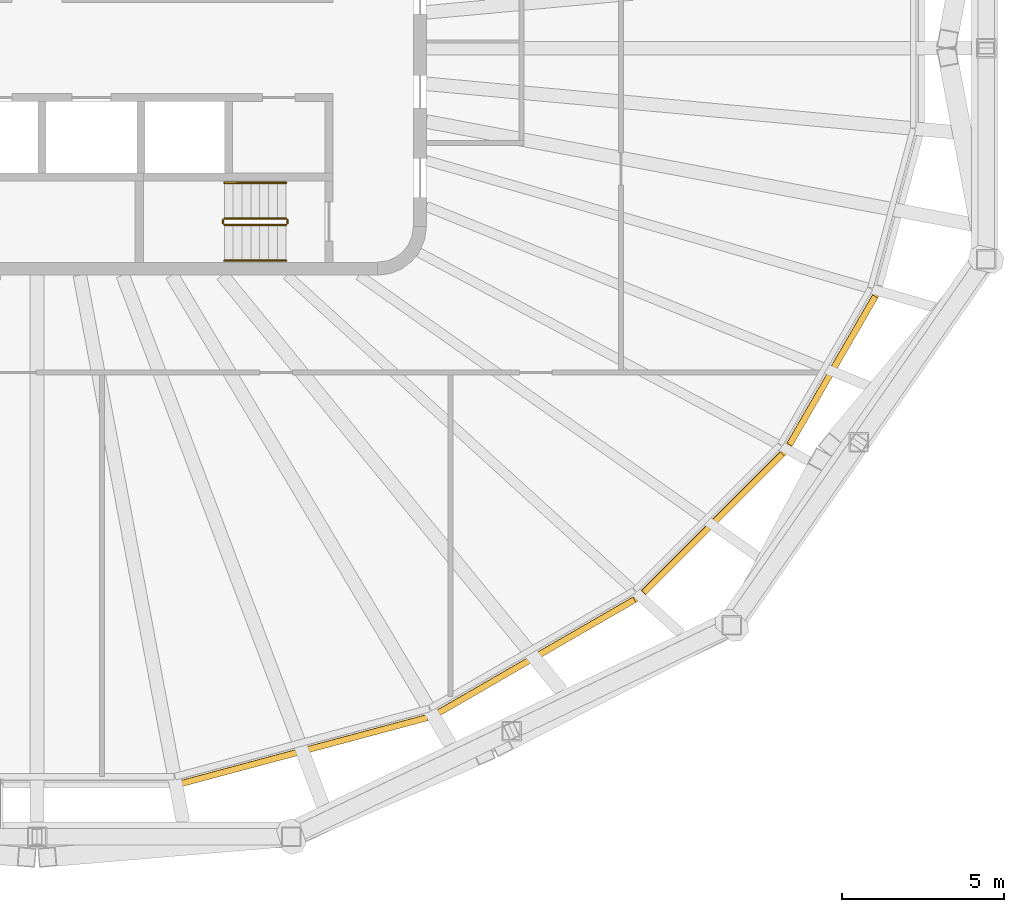
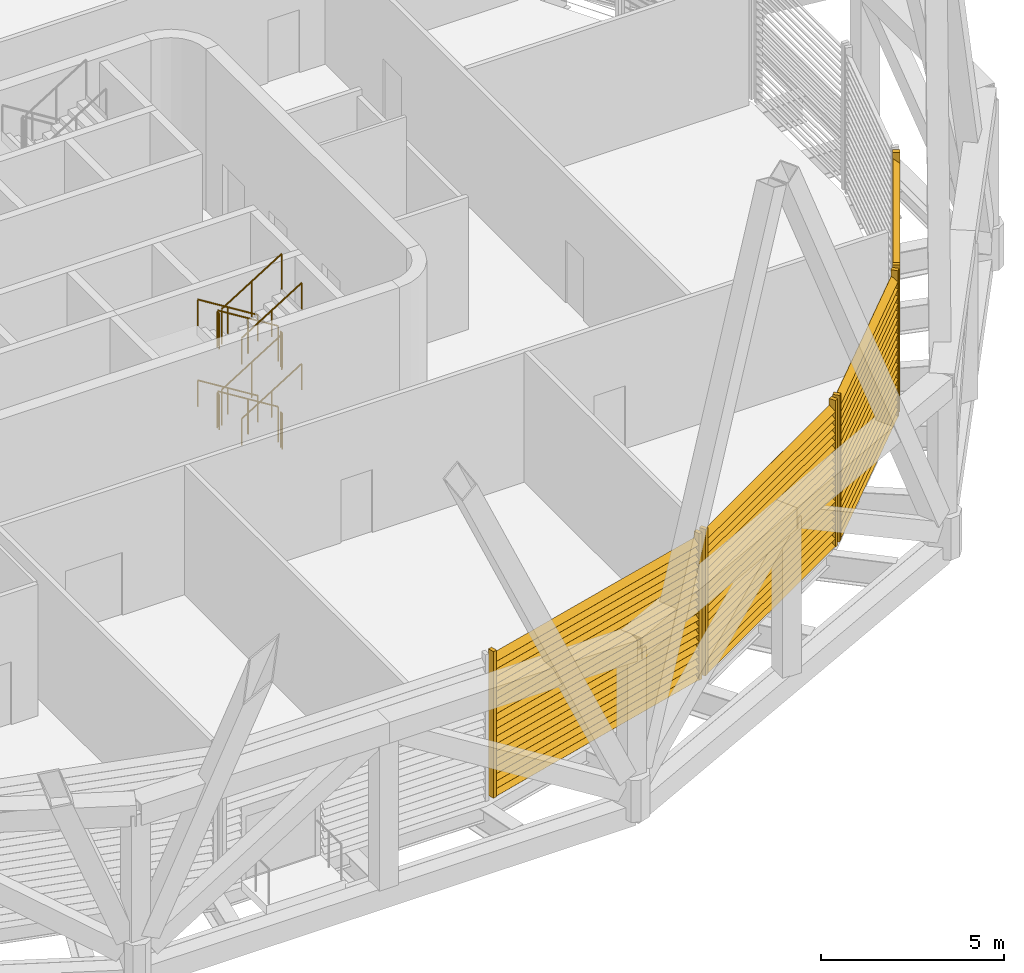
# One storey, part 13 of 16: 12 railings, 4 shading devices.
"""IFC4 building model written with IfcOpenShell, lengths in metres."""

from ifc_helpers import new_model, si_unit, direction, frame, origin, origin_2d, place, context, subcontext, project, spatial, rectangle, circle, extrude, material, type_object, element, save


model = new_model("IFC4")

# Units and contexts
model_context = context("Model", 3, precision=1e-05, world=origin(), true_north=direction((0.0, 1.0)))
body_context = subcontext(model_context, "Body", "Model", "MODEL_VIEW")
ifc_project = project(units=[si_unit("LENGTHUNIT", "METRE"), si_unit("AREAUNIT", "SQUARE_METRE"), si_unit("VOLUMEUNIT", "CUBIC_METRE"), si_unit("PLANEANGLEUNIT", "RADIAN"), si_unit("MASSUNIT", "GRAM", prefix="KILO")], contexts=[model_context])

# Site, building, storey
site_placement = place(None, origin())
site = spatial("IfcSite", under=ifc_project, at=site_placement, CompositionType="ELEMENT")
building_placement = place(site_placement, origin())
building = spatial("IfcBuilding", under=site, at=building_placement, Name="Sahrelin Media Tower", CompositionType="ELEMENT")
storey_placement = place(building_placement, frame((0.0, 0.0, 299.0)))
storey = spatial("IfcBuildingStorey", under=building, at=storey_placement, Name="L66", CompositionType="ELEMENT", Elevation=299.0)

# Shading devices
ifc_material_1 = material(Name="Champagne anodised aluminium 6063-T6", Category="aluminium")
shading_device_type = type_object("IfcShadingDeviceType", Name="Sand-rejection louvre band", PredefinedType="USERDEFINED", material=ifc_material_1)
shading_device_1_placement = place(storey_placement, frame((8.210205078125, -21.54736328125, 0.0), z_axis=(0.0, 0.0, 1.0), x_axis=(-0.965928857556, -0.258807731996, 0.0)))
element("IfcShadingDevice", 1, at=shading_device_1_placement, inside=storey, type_object=shading_device_type, Name="L66:LOUVRE:L66-19", ObjectType="LOUVRE", PredefinedType="USERDEFINED", context=body_context, shape_type="SweptSolid", body=[
    extrude(rectangle(XDim=0.1201171875, YDim=0.199951171875, at=origin_2d()), frame((3.9775390625, 0.10009765625, 0.050048828125), z_axis=(0.0, 0.0, 1.0), x_axis=(1.0, 0.0, 0.0)), (0.0, 0.0, 1.0), 4.8984375),
    extrude(rectangle(XDim=0.1201171875, YDim=0.199951171875, at=origin_2d()), frame((-3.9775390625, 0.10009765625, 0.050048828125), z_axis=(0.0, 0.0, 1.0), x_axis=(1.0, 0.0, 0.0)), (0.0, 0.0, 1.0), 4.8984375),
    extrude(rectangle(XDim=0.25, YDim=0.02001953125, at=origin_2d()), frame((3.91748046875, 0.10009765625, 0.14990234375), z_axis=(-1.0, 0.0, 0.0), x_axis=(0.0, -0.766044443119, 0.642787609687)), (0.0, 0.0, 1.0), 7.8349609375),
    extrude(rectangle(XDim=0.25, YDim=0.02001953125, at=origin_2d()), frame((3.91748046875, 0.10009765625, 0.39990234375), z_axis=(-1.0, 0.0, 0.0), x_axis=(0.0, -0.766044443119, 0.642787609687)), (0.0, 0.0, 1.0), 7.8349609375),
    extrude(rectangle(XDim=0.25, YDim=0.02001953125, at=origin_2d()), frame((3.91748046875, 0.10009765625, 0.64990234375), z_axis=(-1.0, 0.0, 0.0), x_axis=(0.0, -0.766044443119, 0.642787609687)), (0.0, 0.0, 1.0), 7.8349609375),
    extrude(rectangle(XDim=0.25, YDim=0.02001953125, at=origin_2d()), frame((3.91748046875, 0.10009765625, 0.89990234375), z_axis=(-1.0, 0.0, 0.0), x_axis=(0.0, -0.766044443119, 0.642787609687)), (0.0, 0.0, 1.0), 7.8349609375),
    extrude(rectangle(XDim=0.25, YDim=0.02001953125, at=origin_2d()), frame((3.91748046875, 0.10009765625, 1.14990234375), z_axis=(-1.0, 0.0, 0.0), x_axis=(0.0, -0.766044443119, 0.642787609687)), (0.0, 0.0, 1.0), 7.8349609375),
    extrude(rectangle(XDim=0.25, YDim=0.02001953125, at=origin_2d()), frame((3.91748046875, 0.10009765625, 1.39990234375), z_axis=(-1.0, 0.0, 0.0), x_axis=(0.0, -0.766044443119, 0.642787609687)), (0.0, 0.0, 1.0), 7.8349609375),
    extrude(rectangle(XDim=0.25, YDim=0.02001953125, at=origin_2d()), frame((3.91748046875, 0.10009765625, 1.64990234375), z_axis=(-1.0, 0.0, 0.0), x_axis=(0.0, -0.766044443119, 0.642787609687)), (0.0, 0.0, 1.0), 7.8349609375),
    extrude(rectangle(XDim=0.25, YDim=0.02001953125, at=origin_2d()), frame((3.91748046875, 0.10009765625, 1.89990234375), z_axis=(-1.0, 0.0, 0.0), x_axis=(0.0, -0.766044443119, 0.642787609687)), (0.0, 0.0, 1.0), 7.8349609375),
    extrude(rectangle(XDim=0.25, YDim=0.02001953125, at=origin_2d()), frame((3.91748046875, 0.10009765625, 2.14990234375), z_axis=(-1.0, 0.0, 0.0), x_axis=(0.0, -0.766044443119, 0.642787609687)), (0.0, 0.0, 1.0), 7.8349609375),
    extrude(rectangle(XDim=0.25, YDim=0.02001953125, at=origin_2d()), frame((3.91748046875, 0.10009765625, 2.39990234375), z_axis=(-1.0, 0.0, 0.0), x_axis=(0.0, -0.766044443119, 0.642787609687)), (0.0, 0.0, 1.0), 7.8349609375),
    extrude(rectangle(XDim=0.25, YDim=0.02001953125, at=origin_2d()), frame((3.91748046875, 0.10009765625, 2.64990234375), z_axis=(-1.0, 0.0, 0.0), x_axis=(0.0, -0.766044443119, 0.642787609687)), (0.0, 0.0, 1.0), 7.8349609375),
    extrude(rectangle(XDim=0.25, YDim=0.02001953125, at=origin_2d()), frame((3.91748046875, 0.10009765625, 2.89990234375), z_axis=(-1.0, 0.0, 0.0), x_axis=(0.0, -0.766044443119, 0.642787609687)), (0.0, 0.0, 1.0), 7.8349609375),
    extrude(rectangle(XDim=0.25, YDim=0.02001953125, at=origin_2d()), frame((3.91748046875, 0.10009765625, 3.14990234375), z_axis=(-1.0, 0.0, 0.0), x_axis=(0.0, -0.766044443119, 0.642787609687)), (0.0, 0.0, 1.0), 7.8349609375),
    extrude(rectangle(XDim=0.25, YDim=0.02001953125, at=origin_2d()), frame((3.91748046875, 0.10009765625, 3.39990234375), z_axis=(-1.0, 0.0, 0.0), x_axis=(0.0, -0.766044443119, 0.642787609687)), (0.0, 0.0, 1.0), 7.8349609375),
    extrude(rectangle(XDim=0.25, YDim=0.02001953125, at=origin_2d()), frame((3.91748046875, 0.10009765625, 3.64990234375), z_axis=(-1.0, 0.0, 0.0), x_axis=(0.0, -0.766044443119, 0.642787609687)), (0.0, 0.0, 1.0), 7.8349609375),
    extrude(rectangle(XDim=0.25, YDim=0.02001953125, at=origin_2d()), frame((3.91748046875, 0.10009765625, 3.89990234375), z_axis=(-1.0, 0.0, 0.0), x_axis=(0.0, -0.766044443119, 0.642787609687)), (0.0, 0.0, 1.0), 7.8349609375),
    extrude(rectangle(XDim=0.25, YDim=0.02001953125, at=origin_2d()), frame((3.91748046875, 0.10009765625, 4.14990234375), z_axis=(-1.0, 0.0, 0.0), x_axis=(0.0, -0.766044443119, 0.642787609687)), (0.0, 0.0, 1.0), 7.8349609375),
    extrude(rectangle(XDim=0.25, YDim=0.02001953125, at=origin_2d()), frame((3.91748046875, 0.10009765625, 4.39990234375), z_axis=(-1.0, 0.0, 0.0), x_axis=(0.0, -0.766044443119, 0.642787609687)), (0.0, 0.0, 1.0), 7.8349609375),
    extrude(rectangle(XDim=0.25, YDim=0.02001953125, at=origin_2d()), frame((3.91748046875, 0.10009765625, 4.64990234375), z_axis=(-1.0, 0.0, 0.0), x_axis=(0.0, -0.766044443119, 0.642787609687)), (0.0, 0.0, 1.0), 7.8349609375),
])
shading_device_2_placement = place(storey_placement, frame((15.332275390625, -18.656982421875, 0.0), z_axis=(0.0, 0.0, 1.0), x_axis=(-0.866019052629, -0.500011000363, 0.0)))
element("IfcShadingDevice", 2, at=shading_device_2_placement, inside=storey, type_object=shading_device_type, Name="L66:LOUVRE:L66-20", ObjectType="LOUVRE", PredefinedType="USERDEFINED", context=body_context, shape_type="SweptSolid", body=[
    extrude(rectangle(XDim=0.1201171875, YDim=0.199951171875, at=origin_2d()), frame((3.5546875, 0.10009765625, 0.050048828125), z_axis=(0.0, 0.0, 1.0), x_axis=(1.0, 0.0, 0.0)), (0.0, 0.0, 1.0), 4.8984375),
    extrude(rectangle(XDim=0.1201171875, YDim=0.199951171875, at=origin_2d()), frame((-3.5546875, 0.10009765625, 0.050048828125), z_axis=(0.0, 0.0, 1.0), x_axis=(1.0, 0.0, 0.0)), (0.0, 0.0, 1.0), 4.8984375),
    extrude(rectangle(XDim=0.25, YDim=0.02001953125, at=origin_2d()), frame((3.49462890625, 0.10009765625, 0.14990234375), z_axis=(-1.0, 0.0, 0.0), x_axis=(0.0, -0.766044443119, 0.642787609687)), (0.0, 0.0, 1.0), 6.9892578125),
    extrude(rectangle(XDim=0.25, YDim=0.02001953125, at=origin_2d()), frame((3.49462890625, 0.10009765625, 0.39990234375), z_axis=(-1.0, 0.0, 0.0), x_axis=(0.0, -0.766044443119, 0.642787609687)), (0.0, 0.0, 1.0), 6.9892578125),
    extrude(rectangle(XDim=0.25, YDim=0.02001953125, at=origin_2d()), frame((3.49462890625, 0.10009765625, 0.64990234375), z_axis=(-1.0, 0.0, 0.0), x_axis=(0.0, -0.766044443119, 0.642787609687)), (0.0, 0.0, 1.0), 6.9892578125),
    extrude(rectangle(XDim=0.25, YDim=0.02001953125, at=origin_2d()), frame((3.49462890625, 0.10009765625, 0.89990234375), z_axis=(-1.0, 0.0, 0.0), x_axis=(0.0, -0.766044443119, 0.642787609687)), (0.0, 0.0, 1.0), 6.9892578125),
    extrude(rectangle(XDim=0.25, YDim=0.02001953125, at=origin_2d()), frame((3.49462890625, 0.10009765625, 1.14990234375), z_axis=(-1.0, 0.0, 0.0), x_axis=(0.0, -0.766044443119, 0.642787609687)), (0.0, 0.0, 1.0), 6.9892578125),
    extrude(rectangle(XDim=0.25, YDim=0.02001953125, at=origin_2d()), frame((3.49462890625, 0.10009765625, 1.39990234375), z_axis=(-1.0, 0.0, 0.0), x_axis=(0.0, -0.766044443119, 0.642787609687)), (0.0, 0.0, 1.0), 6.9892578125),
    extrude(rectangle(XDim=0.25, YDim=0.02001953125, at=origin_2d()), frame((3.49462890625, 0.10009765625, 1.64990234375), z_axis=(-1.0, 0.0, 0.0), x_axis=(0.0, -0.766044443119, 0.642787609687)), (0.0, 0.0, 1.0), 6.9892578125),
    extrude(rectangle(XDim=0.25, YDim=0.02001953125, at=origin_2d()), frame((3.49462890625, 0.10009765625, 1.89990234375), z_axis=(-1.0, 0.0, 0.0), x_axis=(0.0, -0.766044443119, 0.642787609687)), (0.0, 0.0, 1.0), 6.9892578125),
    extrude(rectangle(XDim=0.25, YDim=0.02001953125, at=origin_2d()), frame((3.49462890625, 0.10009765625, 2.14990234375), z_axis=(-1.0, 0.0, 0.0), x_axis=(0.0, -0.766044443119, 0.642787609687)), (0.0, 0.0, 1.0), 6.9892578125),
    extrude(rectangle(XDim=0.25, YDim=0.02001953125, at=origin_2d()), frame((3.49462890625, 0.10009765625, 2.39990234375), z_axis=(-1.0, 0.0, 0.0), x_axis=(0.0, -0.766044443119, 0.642787609687)), (0.0, 0.0, 1.0), 6.9892578125),
    extrude(rectangle(XDim=0.25, YDim=0.02001953125, at=origin_2d()), frame((3.49462890625, 0.10009765625, 2.64990234375), z_axis=(-1.0, 0.0, 0.0), x_axis=(0.0, -0.766044443119, 0.642787609687)), (0.0, 0.0, 1.0), 6.9892578125),
    extrude(rectangle(XDim=0.25, YDim=0.02001953125, at=origin_2d()), frame((3.49462890625, 0.10009765625, 2.89990234375), z_axis=(-1.0, 0.0, 0.0), x_axis=(0.0, -0.766044443119, 0.642787609687)), (0.0, 0.0, 1.0), 6.9892578125),
    extrude(rectangle(XDim=0.25, YDim=0.02001953125, at=origin_2d()), frame((3.49462890625, 0.10009765625, 3.14990234375), z_axis=(-1.0, 0.0, 0.0), x_axis=(0.0, -0.766044443119, 0.642787609687)), (0.0, 0.0, 1.0), 6.9892578125),
    extrude(rectangle(XDim=0.25, YDim=0.02001953125, at=origin_2d()), frame((3.49462890625, 0.10009765625, 3.39990234375), z_axis=(-1.0, 0.0, 0.0), x_axis=(0.0, -0.766044443119, 0.642787609687)), (0.0, 0.0, 1.0), 6.9892578125),
    extrude(rectangle(XDim=0.25, YDim=0.02001953125, at=origin_2d()), frame((3.49462890625, 0.10009765625, 3.64990234375), z_axis=(-1.0, 0.0, 0.0), x_axis=(0.0, -0.766044443119, 0.642787609687)), (0.0, 0.0, 1.0), 6.9892578125),
    extrude(rectangle(XDim=0.25, YDim=0.02001953125, at=origin_2d()), frame((3.49462890625, 0.10009765625, 3.89990234375), z_axis=(-1.0, 0.0, 0.0), x_axis=(0.0, -0.766044443119, 0.642787609687)), (0.0, 0.0, 1.0), 6.9892578125),
    extrude(rectangle(XDim=0.25, YDim=0.02001953125, at=origin_2d()), frame((3.49462890625, 0.10009765625, 4.14990234375), z_axis=(-1.0, 0.0, 0.0), x_axis=(0.0, -0.766044443119, 0.642787609687)), (0.0, 0.0, 1.0), 6.9892578125),
    extrude(rectangle(XDim=0.25, YDim=0.02001953125, at=origin_2d()), frame((3.49462890625, 0.10009765625, 4.39990234375), z_axis=(-1.0, 0.0, 0.0), x_axis=(0.0, -0.766044443119, 0.642787609687)), (0.0, 0.0, 1.0), 6.9892578125),
    extrude(rectangle(XDim=0.25, YDim=0.02001953125, at=origin_2d()), frame((3.49462890625, 0.10009765625, 4.64990234375), z_axis=(-1.0, 0.0, 0.0), x_axis=(0.0, -0.766044443119, 0.642787609687)), (0.0, 0.0, 1.0), 6.9892578125),
])
shading_device_3_placement = place(storey_placement, frame((20.761474609375, -14.5693359375, 0.0), z_axis=(0.0, 0.0, 1.0), x_axis=(-0.707106781187, -0.707106781187, 0.0)))
element("IfcShadingDevice", 3, at=shading_device_3_placement, inside=storey, type_object=shading_device_type, Name="L66:LOUVRE:L66-21", ObjectType="LOUVRE", PredefinedType="USERDEFINED", context=body_context, shape_type="SweptSolid", body=[
    extrude(rectangle(XDim=0.1201171875, YDim=0.199951171875, at=origin_2d()), frame((3.07958984375, 0.10009765625, 0.050048828125), z_axis=(0.0, 0.0, 1.0), x_axis=(1.0, 0.0, 0.0)), (0.0, 0.0, 1.0), 4.8984375),
    extrude(rectangle(XDim=0.1201171875, YDim=0.199951171875, at=origin_2d()), frame((-3.07958984375, 0.10009765625, 0.050048828125), z_axis=(0.0, 0.0, 1.0), x_axis=(1.0, 0.0, 0.0)), (0.0, 0.0, 1.0), 4.8984375),
    extrude(rectangle(XDim=0.25, YDim=0.02001953125, at=origin_2d()), frame((3.019775390625, 0.10009765625, 0.14990234375), z_axis=(-1.0, 0.0, 0.0), x_axis=(0.0, -0.766044443119, 0.642787609687)), (0.0, 0.0, 1.0), 6.03955078125),
    extrude(rectangle(XDim=0.25, YDim=0.02001953125, at=origin_2d()), frame((3.019775390625, 0.10009765625, 0.39990234375), z_axis=(-1.0, 0.0, 0.0), x_axis=(0.0, -0.766044443119, 0.642787609687)), (0.0, 0.0, 1.0), 6.03955078125),
    extrude(rectangle(XDim=0.25, YDim=0.02001953125, at=origin_2d()), frame((3.019775390625, 0.10009765625, 0.64990234375), z_axis=(-1.0, 0.0, 0.0), x_axis=(0.0, -0.766044443119, 0.642787609687)), (0.0, 0.0, 1.0), 6.03955078125),
    extrude(rectangle(XDim=0.25, YDim=0.02001953125, at=origin_2d()), frame((3.019775390625, 0.10009765625, 0.89990234375), z_axis=(-1.0, 0.0, 0.0), x_axis=(0.0, -0.766044443119, 0.642787609687)), (0.0, 0.0, 1.0), 6.03955078125),
    extrude(rectangle(XDim=0.25, YDim=0.02001953125, at=origin_2d()), frame((3.019775390625, 0.10009765625, 1.14990234375), z_axis=(-1.0, 0.0, 0.0), x_axis=(0.0, -0.766044443119, 0.642787609687)), (0.0, 0.0, 1.0), 6.03955078125),
    extrude(rectangle(XDim=0.25, YDim=0.02001953125, at=origin_2d()), frame((3.019775390625, 0.10009765625, 1.39990234375), z_axis=(-1.0, 0.0, 0.0), x_axis=(0.0, -0.766044443119, 0.642787609687)), (0.0, 0.0, 1.0), 6.03955078125),
    extrude(rectangle(XDim=0.25, YDim=0.02001953125, at=origin_2d()), frame((3.019775390625, 0.10009765625, 1.64990234375), z_axis=(-1.0, 0.0, 0.0), x_axis=(0.0, -0.766044443119, 0.642787609687)), (0.0, 0.0, 1.0), 6.03955078125),
    extrude(rectangle(XDim=0.25, YDim=0.02001953125, at=origin_2d()), frame((3.019775390625, 0.10009765625, 1.89990234375), z_axis=(-1.0, 0.0, 0.0), x_axis=(0.0, -0.766044443119, 0.642787609687)), (0.0, 0.0, 1.0), 6.03955078125),
    extrude(rectangle(XDim=0.25, YDim=0.02001953125, at=origin_2d()), frame((3.019775390625, 0.10009765625, 2.14990234375), z_axis=(-1.0, 0.0, 0.0), x_axis=(0.0, -0.766044443119, 0.642787609687)), (0.0, 0.0, 1.0), 6.03955078125),
    extrude(rectangle(XDim=0.25, YDim=0.02001953125, at=origin_2d()), frame((3.019775390625, 0.10009765625, 2.39990234375), z_axis=(-1.0, 0.0, 0.0), x_axis=(0.0, -0.766044443119, 0.642787609687)), (0.0, 0.0, 1.0), 6.03955078125),
    extrude(rectangle(XDim=0.25, YDim=0.02001953125, at=origin_2d()), frame((3.019775390625, 0.10009765625, 2.64990234375), z_axis=(-1.0, 0.0, 0.0), x_axis=(0.0, -0.766044443119, 0.642787609687)), (0.0, 0.0, 1.0), 6.03955078125),
    extrude(rectangle(XDim=0.25, YDim=0.02001953125, at=origin_2d()), frame((3.019775390625, 0.10009765625, 2.89990234375), z_axis=(-1.0, 0.0, 0.0), x_axis=(0.0, -0.766044443119, 0.642787609687)), (0.0, 0.0, 1.0), 6.03955078125),
    extrude(rectangle(XDim=0.25, YDim=0.02001953125, at=origin_2d()), frame((3.019775390625, 0.10009765625, 3.14990234375), z_axis=(-1.0, 0.0, 0.0), x_axis=(0.0, -0.766044443119, 0.642787609687)), (0.0, 0.0, 1.0), 6.03955078125),
    extrude(rectangle(XDim=0.25, YDim=0.02001953125, at=origin_2d()), frame((3.019775390625, 0.10009765625, 3.39990234375), z_axis=(-1.0, 0.0, 0.0), x_axis=(0.0, -0.766044443119, 0.642787609687)), (0.0, 0.0, 1.0), 6.03955078125),
    extrude(rectangle(XDim=0.25, YDim=0.02001953125, at=origin_2d()), frame((3.019775390625, 0.10009765625, 3.64990234375), z_axis=(-1.0, 0.0, 0.0), x_axis=(0.0, -0.766044443119, 0.642787609687)), (0.0, 0.0, 1.0), 6.03955078125),
    extrude(rectangle(XDim=0.25, YDim=0.02001953125, at=origin_2d()), frame((3.019775390625, 0.10009765625, 3.89990234375), z_axis=(-1.0, 0.0, 0.0), x_axis=(0.0, -0.766044443119, 0.642787609687)), (0.0, 0.0, 1.0), 6.03955078125),
    extrude(rectangle(XDim=0.25, YDim=0.02001953125, at=origin_2d()), frame((3.019775390625, 0.10009765625, 4.14990234375), z_axis=(-1.0, 0.0, 0.0), x_axis=(0.0, -0.766044443119, 0.642787609687)), (0.0, 0.0, 1.0), 6.03955078125),
    extrude(rectangle(XDim=0.25, YDim=0.02001953125, at=origin_2d()), frame((3.019775390625, 0.10009765625, 4.39990234375), z_axis=(-1.0, 0.0, 0.0), x_axis=(0.0, -0.766044443119, 0.642787609687)), (0.0, 0.0, 1.0), 6.03955078125),
    extrude(rectangle(XDim=0.25, YDim=0.02001953125, at=origin_2d()), frame((3.019775390625, 0.10009765625, 4.64990234375), z_axis=(-1.0, 0.0, 0.0), x_axis=(0.0, -0.766044443119, 0.642787609687)), (0.0, 0.0, 1.0), 6.03955078125),
])
shading_device_4_placement = place(storey_placement, frame((24.419677734375, -9.884033203125, 0.0), z_axis=(0.0, 0.0, 1.0), x_axis=(-0.500011000363, -0.866019052629, 0.0)))
element("IfcShadingDevice", 4, at=shading_device_4_placement, inside=storey, type_object=shading_device_type, Name="L66:LOUVRE:L66-22", ObjectType="LOUVRE", PredefinedType="USERDEFINED", context=body_context, shape_type="SweptSolid", body=[
    extrude(rectangle(XDim=0.1201171875, YDim=0.199951171875, at=origin_2d()), frame((2.69580078125, 0.10009765625, 0.050048828125), z_axis=(0.0, 0.0, 1.0), x_axis=(1.0, 0.0, 0.0)), (0.0, 0.0, 1.0), 4.8984375),
    extrude(rectangle(XDim=0.1201171875, YDim=0.199951171875, at=origin_2d()), frame((-2.69580078125, 0.10009765625, 0.050048828125), z_axis=(0.0, 0.0, 1.0), x_axis=(1.0, 0.0, 0.0)), (0.0, 0.0, 1.0), 4.8984375),
    extrude(rectangle(XDim=0.25, YDim=0.02001953125, at=origin_2d()), frame((2.6357421875, 0.10009765625, 0.14990234375), z_axis=(-1.0, 0.0, 0.0), x_axis=(0.0, -0.766044443119, 0.642787609687)), (0.0, 0.0, 1.0), 5.271484375),
    extrude(rectangle(XDim=0.25, YDim=0.02001953125, at=origin_2d()), frame((2.6357421875, 0.10009765625, 0.39990234375), z_axis=(-1.0, 0.0, 0.0), x_axis=(0.0, -0.766044443119, 0.642787609687)), (0.0, 0.0, 1.0), 5.271484375),
    extrude(rectangle(XDim=0.25, YDim=0.02001953125, at=origin_2d()), frame((2.6357421875, 0.10009765625, 0.64990234375), z_axis=(-1.0, 0.0, 0.0), x_axis=(0.0, -0.766044443119, 0.642787609687)), (0.0, 0.0, 1.0), 5.271484375),
    extrude(rectangle(XDim=0.25, YDim=0.02001953125, at=origin_2d()), frame((2.6357421875, 0.10009765625, 0.89990234375), z_axis=(-1.0, 0.0, 0.0), x_axis=(0.0, -0.766044443119, 0.642787609687)), (0.0, 0.0, 1.0), 5.271484375),
    extrude(rectangle(XDim=0.25, YDim=0.02001953125, at=origin_2d()), frame((2.6357421875, 0.10009765625, 1.14990234375), z_axis=(-1.0, 0.0, 0.0), x_axis=(0.0, -0.766044443119, 0.642787609687)), (0.0, 0.0, 1.0), 5.271484375),
    extrude(rectangle(XDim=0.25, YDim=0.02001953125, at=origin_2d()), frame((2.6357421875, 0.10009765625, 1.39990234375), z_axis=(-1.0, 0.0, 0.0), x_axis=(0.0, -0.766044443119, 0.642787609687)), (0.0, 0.0, 1.0), 5.271484375),
    extrude(rectangle(XDim=0.25, YDim=0.02001953125, at=origin_2d()), frame((2.6357421875, 0.10009765625, 1.64990234375), z_axis=(-1.0, 0.0, 0.0), x_axis=(0.0, -0.766044443119, 0.642787609687)), (0.0, 0.0, 1.0), 5.271484375),
    extrude(rectangle(XDim=0.25, YDim=0.02001953125, at=origin_2d()), frame((2.6357421875, 0.10009765625, 1.89990234375), z_axis=(-1.0, 0.0, 0.0), x_axis=(0.0, -0.766044443119, 0.642787609687)), (0.0, 0.0, 1.0), 5.271484375),
    extrude(rectangle(XDim=0.25, YDim=0.02001953125, at=origin_2d()), frame((2.6357421875, 0.10009765625, 2.14990234375), z_axis=(-1.0, 0.0, 0.0), x_axis=(0.0, -0.766044443119, 0.642787609687)), (0.0, 0.0, 1.0), 5.271484375),
    extrude(rectangle(XDim=0.25, YDim=0.02001953125, at=origin_2d()), frame((2.6357421875, 0.10009765625, 2.39990234375), z_axis=(-1.0, 0.0, 0.0), x_axis=(0.0, -0.766044443119, 0.642787609687)), (0.0, 0.0, 1.0), 5.271484375),
    extrude(rectangle(XDim=0.25, YDim=0.02001953125, at=origin_2d()), frame((2.6357421875, 0.10009765625, 2.64990234375), z_axis=(-1.0, 0.0, 0.0), x_axis=(0.0, -0.766044443119, 0.642787609687)), (0.0, 0.0, 1.0), 5.271484375),
    extrude(rectangle(XDim=0.25, YDim=0.02001953125, at=origin_2d()), frame((2.6357421875, 0.10009765625, 2.89990234375), z_axis=(-1.0, 0.0, 0.0), x_axis=(0.0, -0.766044443119, 0.642787609687)), (0.0, 0.0, 1.0), 5.271484375),
    extrude(rectangle(XDim=0.25, YDim=0.02001953125, at=origin_2d()), frame((2.6357421875, 0.10009765625, 3.14990234375), z_axis=(-1.0, 0.0, 0.0), x_axis=(0.0, -0.766044443119, 0.642787609687)), (0.0, 0.0, 1.0), 5.271484375),
    extrude(rectangle(XDim=0.25, YDim=0.02001953125, at=origin_2d()), frame((2.6357421875, 0.10009765625, 3.39990234375), z_axis=(-1.0, 0.0, 0.0), x_axis=(0.0, -0.766044443119, 0.642787609687)), (0.0, 0.0, 1.0), 5.271484375),
    extrude(rectangle(XDim=0.25, YDim=0.02001953125, at=origin_2d()), frame((2.6357421875, 0.10009765625, 3.64990234375), z_axis=(-1.0, 0.0, 0.0), x_axis=(0.0, -0.766044443119, 0.642787609687)), (0.0, 0.0, 1.0), 5.271484375),
    extrude(rectangle(XDim=0.25, YDim=0.02001953125, at=origin_2d()), frame((2.6357421875, 0.10009765625, 3.89990234375), z_axis=(-1.0, 0.0, 0.0), x_axis=(0.0, -0.766044443119, 0.642787609687)), (0.0, 0.0, 1.0), 5.271484375),
    extrude(rectangle(XDim=0.25, YDim=0.02001953125, at=origin_2d()), frame((2.6357421875, 0.10009765625, 4.14990234375), z_axis=(-1.0, 0.0, 0.0), x_axis=(0.0, -0.766044443119, 0.642787609687)), (0.0, 0.0, 1.0), 5.271484375),
    extrude(rectangle(XDim=0.25, YDim=0.02001953125, at=origin_2d()), frame((2.6357421875, 0.10009765625, 4.39990234375), z_axis=(-1.0, 0.0, 0.0), x_axis=(0.0, -0.766044443119, 0.642787609687)), (0.0, 0.0, 1.0), 5.271484375),
    extrude(rectangle(XDim=0.25, YDim=0.02001953125, at=origin_2d()), frame((2.6357421875, 0.10009765625, 4.64990234375), z_axis=(-1.0, 0.0, 0.0), x_axis=(0.0, -0.766044443119, 0.642787609687)), (0.0, 0.0, 1.0), 5.271484375),
])

# Railings
ifc_material_2 = material(Name="Steel S355", Category="steel")
railing_type_1 = type_object("IfcRailingType", Name="Stair guard 1200", PredefinedType="GUARDRAIL", material=ifc_material_2)
railing_1_placement = place(storey_placement, frame((7.675048828125, -5.25, 0.168701171875)))
element("IfcRailing", 5, at=railing_1_placement, inside=storey, type_object=railing_type_1, Name="L66 ST2 stair guard 1", PredefinedType="GUARDRAIL", context=body_context, shape_type="SweptSolid", body=[
    extrude(circle(Radius=0.02392578125, at=origin_2d()), frame((0.0, 0.0, 1.17578125), z_axis=(-0.849240365539, 0.0, 0.528006440812), x_axis=(0.0, -1.0, 0.0)), (0.0, 0.0, 1.0), 2.237548828125),
    extrude(circle(Radius=0.02099609375, at=origin_2d()), origin(), (0.0, 0.0, 1.0), 1.15185546875),
    extrude(circle(Radius=0.02099609375, at=origin_2d()), frame((-0.9501953125, 0.0, 0.5908203125)), (0.0, 0.0, 1.0), 1.15185546875),
    extrude(circle(Radius=0.02099609375, at=origin_2d()), frame((-1.900146484375, 0.0, 1.181396484375)), (0.0, 0.0, 1.0), 1.15185546875),
])
railing_2_placement = place(storey_placement, frame((5.72509765625, -5.300048828125, 1.35009765625)))
element("IfcRailing", 6, at=railing_2_placement, inside=storey, type_object=railing_type_1, Name="L66 ST2 stair guard 2", PredefinedType="GUARDRAIL", context=body_context, shape_type="SweptSolid", body=[
    extrude(circle(Radius=0.02392578125, at=origin_2d()), frame((0.0, 0.0, 1.17578125), z_axis=(0.0, -1.0, 0.0), x_axis=(1.0, 0.0, 0.0)), (0.0, 0.0, 1.0), 0.099853515625),
    extrude(circle(Radius=0.02099609375, at=origin_2d()), origin(), (0.0, 0.0, 1.0), 1.15185546875),
    extrude(circle(Radius=0.02099609375, at=origin_2d()), frame((0.0, -0.099853515625, 0.0)), (0.0, 0.0, 1.0), 1.15185546875),
])
railing_3_placement = place(storey_placement, frame((5.77490234375, -5.449951171875, 1.518798828125)))
element("IfcRailing", 7, at=railing_3_placement, inside=storey, type_object=railing_type_1, Name="L66 ST2 stair guard 3", PredefinedType="GUARDRAIL", context=body_context, shape_type="SweptSolid", body=[
    extrude(circle(Radius=0.02392578125, at=origin_2d()), frame((0.0, 0.0, 1.17578125), z_axis=(0.849289292259, 0.0, 0.527927739425), x_axis=(0.0, 1.0, 0.0)), (0.0, 0.0, 1.0), 2.2373046875),
    extrude(circle(Radius=0.02099609375, at=origin_2d()), origin(), (0.0, 0.0, 1.0), 1.15185546875),
    extrude(circle(Radius=0.02099609375, at=origin_2d()), frame((0.9501953125, 0.0, 0.590576171875)), (0.0, 0.0, 1.0), 1.15185546875),
    extrude(circle(Radius=0.02099609375, at=origin_2d()), frame((1.900146484375, 0.0, 1.18115234375)), (0.0, 0.0, 1.0), 1.15185546875),
])
railing_4_placement = place(storey_placement, frame((7.72509765625, -5.300048828125, 2.699951171875)))
element("IfcRailing", 8, at=railing_4_placement, inside=storey, type_object=railing_type_1, Name="L66 ST2 stair guard 4", PredefinedType="GUARDRAIL", context=body_context, shape_type="SweptSolid", body=[
    extrude(circle(Radius=0.02392578125, at=origin_2d()), frame((0.0, 0.0, 1.17578125), z_axis=(0.0, -1.0, 0.0), x_axis=(1.0, 0.0, 0.0)), (0.0, 0.0, 1.0), 0.099853515625),
    extrude(circle(Radius=0.02099609375, at=origin_2d()), origin(), (0.0, 0.0, 1.0), 1.15185546875),
    extrude(circle(Radius=0.02099609375, at=origin_2d()), frame((0.0, -0.099853515625, 0.0)), (0.0, 0.0, 1.0), 1.15185546875),
])
railing_5_placement = place(storey_placement, frame((7.675048828125, -5.25, 2.86865234375)))
element("IfcRailing", 9, at=railing_5_placement, inside=storey, type_object=railing_type_1, Name="L66 ST2 stair guard 5", PredefinedType="GUARDRAIL", context=body_context, shape_type="SweptSolid", body=[
    extrude(circle(Radius=0.02392578125, at=origin_2d()), frame((0.0, 0.0, 1.17578125), z_axis=(-0.849240365539, 0.0, 0.528006440812), x_axis=(0.0, -1.0, 0.0)), (0.0, 0.0, 1.0), 2.237548828125),
    extrude(circle(Radius=0.02099609375, at=origin_2d()), origin(), (0.0, 0.0, 1.0), 1.15185546875),
    extrude(circle(Radius=0.02099609375, at=origin_2d()), frame((-0.9501953125, 0.0, 0.5908203125)), (0.0, 0.0, 1.0), 1.15185546875),
    extrude(circle(Radius=0.02099609375, at=origin_2d()), frame((-1.900146484375, 0.0, 1.181396484375)), (0.0, 0.0, 1.0), 1.15185546875),
])
railing_6_placement = place(storey_placement, frame((5.72509765625, -5.300048828125, 4.050048828125)))
element("IfcRailing", 10, at=railing_6_placement, inside=storey, type_object=railing_type_1, Name="L66 ST2 stair guard 6", PredefinedType="GUARDRAIL", context=body_context, shape_type="SweptSolid", body=[
    extrude(circle(Radius=0.02392578125, at=origin_2d()), frame((0.0, 0.0, 1.17578125), z_axis=(0.0, -1.0, 0.0), x_axis=(1.0, 0.0, 0.0)), (0.0, 0.0, 1.0), 0.099853515625),
    extrude(circle(Radius=0.02099609375, at=origin_2d()), origin(), (0.0, 0.0, 1.0), 1.15185546875),
    extrude(circle(Radius=0.02099609375, at=origin_2d()), frame((0.0, -0.099853515625, 0.0)), (0.0, 0.0, 1.0), 1.15185546875),
])
railing_7_placement = place(storey_placement, frame((5.77490234375, -5.449951171875, 4.21875)))
element("IfcRailing", 11, at=railing_7_placement, inside=storey, type_object=railing_type_1, Name="L66 ST2 stair guard 7", PredefinedType="GUARDRAIL", context=body_context, shape_type="SweptSolid", body=[
    extrude(circle(Radius=0.02392578125, at=origin_2d()), frame((0.0, 0.0, 1.17578125), z_axis=(0.849289292259, 0.0, 0.527927739425), x_axis=(0.0, 1.0, 0.0)), (0.0, 0.0, 1.0), 2.2373046875),
    extrude(circle(Radius=0.02099609375, at=origin_2d()), origin(), (0.0, 0.0, 1.0), 1.15185546875),
    extrude(circle(Radius=0.02099609375, at=origin_2d()), frame((0.9501953125, 0.0, 0.590576171875)), (0.0, 0.0, 1.0), 1.15185546875),
    extrude(circle(Radius=0.02099609375, at=origin_2d()), frame((1.900146484375, 0.0, 1.18115234375)), (0.0, 0.0, 1.0), 1.15185546875),
])
railing_8_placement = place(storey_placement, frame((7.72509765625, -5.300048828125, 0.0)))
element("IfcRailing", 12, at=railing_8_placement, inside=storey, type_object=railing_type_1, Name="L66 ST2 stair guard 8", PredefinedType="GUARDRAIL", context=body_context, shape_type="SweptSolid", body=[
    extrude(circle(Radius=0.02392578125, at=origin_2d()), frame((0.0, 0.0, 1.17578125), z_axis=(0.0, -1.0, 0.0), x_axis=(1.0, 0.0, 0.0)), (0.0, 0.0, 1.0), 0.099853515625),
    extrude(circle(Radius=0.02099609375, at=origin_2d()), origin(), (0.0, 0.0, 1.0), 1.15185546875),
    extrude(circle(Radius=0.02099609375, at=origin_2d()), frame((0.0, -0.099853515625, 0.0)), (0.0, 0.0, 1.0), 1.15185546875),
])
railing_type_2 = type_object("IfcRailingType", Name="Stair handrail 900", PredefinedType="HANDRAIL", material=ifc_material_2)
railing_9_placement = place(storey_placement, frame((7.675048828125, -4.14990234375, 0.168701171875)))
element("IfcRailing", 13, at=railing_9_placement, inside=storey, type_object=railing_type_2, Name="L66 ST2 stair handrail 1", PredefinedType="HANDRAIL", context=body_context, shape_type="SweptSolid", body=[
    extrude(circle(Radius=0.02392578125, at=origin_2d()), frame((0.0, 0.0, 0.8759765625), z_axis=(-0.849240365539, 0.0, 0.528006440812), x_axis=(0.0, -1.0, 0.0)), (0.0, 0.0, 1.0), 2.237548828125),
    extrude(circle(Radius=0.02099609375, at=origin_2d()), origin(), (0.0, 0.0, 1.0), 0.851806640625),
    extrude(circle(Radius=0.02099609375, at=origin_2d()), frame((-0.9501953125, 0.0, 0.5908203125)), (0.0, 0.0, 1.0), 0.851806640625),
    extrude(circle(Radius=0.02099609375, at=origin_2d()), frame((-1.900146484375, 0.0, 1.181396484375)), (0.0, 0.0, 1.0), 0.851806640625),
])
railing_10_placement = place(storey_placement, frame((5.77490234375, -6.550048828125, 1.518798828125)))
element("IfcRailing", 14, at=railing_10_placement, inside=storey, type_object=railing_type_2, Name="L66 ST2 stair handrail 2", PredefinedType="HANDRAIL", context=body_context, shape_type="SweptSolid", body=[
    extrude(circle(Radius=0.02392578125, at=origin_2d()), frame((0.0, 0.0, 0.8759765625), z_axis=(0.849289292259, 0.0, 0.527927739425), x_axis=(0.0, 1.0, 0.0)), (0.0, 0.0, 1.0), 2.2373046875),
    extrude(circle(Radius=0.02099609375, at=origin_2d()), origin(), (0.0, 0.0, 1.0), 0.851806640625),
    extrude(circle(Radius=0.02099609375, at=origin_2d()), frame((0.9501953125, 0.0, 0.590576171875)), (0.0, 0.0, 1.0), 0.851806640625),
    extrude(circle(Radius=0.02099609375, at=origin_2d()), frame((1.900146484375, 0.0, 1.18115234375)), (0.0, 0.0, 1.0), 0.851806640625),
])
railing_11_placement = place(storey_placement, frame((7.675048828125, -4.14990234375, 2.86865234375)))
element("IfcRailing", 15, at=railing_11_placement, inside=storey, type_object=railing_type_2, Name="L66 ST2 stair handrail 3", PredefinedType="HANDRAIL", context=body_context, shape_type="SweptSolid", body=[
    extrude(circle(Radius=0.02392578125, at=origin_2d()), frame((0.0, 0.0, 0.8759765625), z_axis=(-0.849240365539, 0.0, 0.528006440812), x_axis=(0.0, -1.0, 0.0)), (0.0, 0.0, 1.0), 2.237548828125),
    extrude(circle(Radius=0.02099609375, at=origin_2d()), origin(), (0.0, 0.0, 1.0), 0.851806640625),
    extrude(circle(Radius=0.02099609375, at=origin_2d()), frame((-0.9501953125, 0.0, 0.5908203125)), (0.0, 0.0, 1.0), 0.851806640625),
    extrude(circle(Radius=0.02099609375, at=origin_2d()), frame((-1.900146484375, 0.0, 1.181396484375)), (0.0, 0.0, 1.0), 0.851806640625),
])
railing_12_placement = place(storey_placement, frame((5.77490234375, -6.550048828125, 4.21875)))
element("IfcRailing", 16, at=railing_12_placement, inside=storey, type_object=railing_type_2, Name="L66 ST2 stair handrail 4", PredefinedType="HANDRAIL", context=body_context, shape_type="SweptSolid", body=[
    extrude(circle(Radius=0.02392578125, at=origin_2d()), frame((0.0, 0.0, 0.8759765625), z_axis=(0.849289292259, 0.0, 0.527927739425), x_axis=(0.0, 1.0, 0.0)), (0.0, 0.0, 1.0), 2.2373046875),
    extrude(circle(Radius=0.02099609375, at=origin_2d()), origin(), (0.0, 0.0, 1.0), 0.851806640625),
    extrude(circle(Radius=0.02099609375, at=origin_2d()), frame((0.9501953125, 0.0, 0.590576171875)), (0.0, 0.0, 1.0), 0.851806640625),
    extrude(circle(Radius=0.02099609375, at=origin_2d()), frame((1.900146484375, 0.0, 1.18115234375)), (0.0, 0.0, 1.0), 0.851806640625),
])

save(model, "model.ifc")
